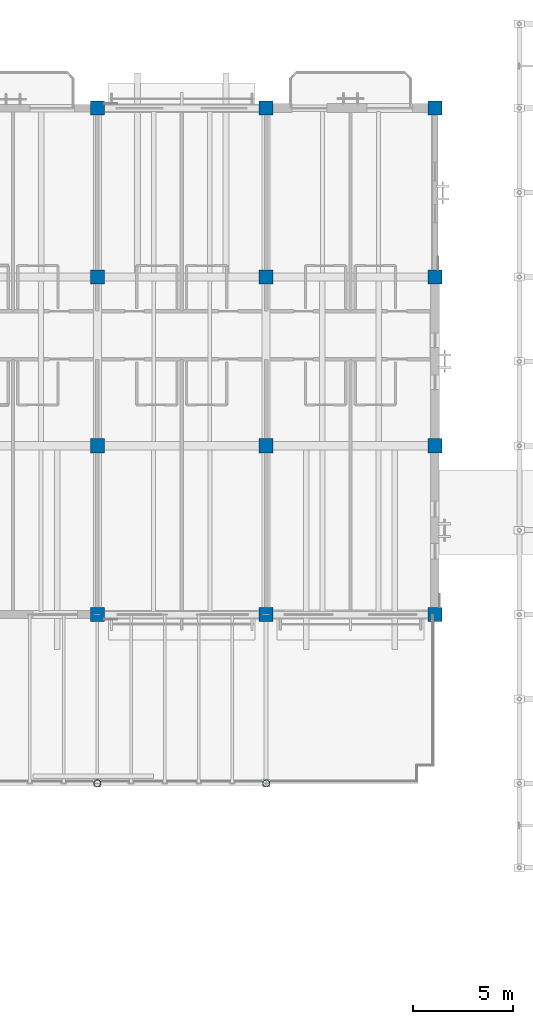
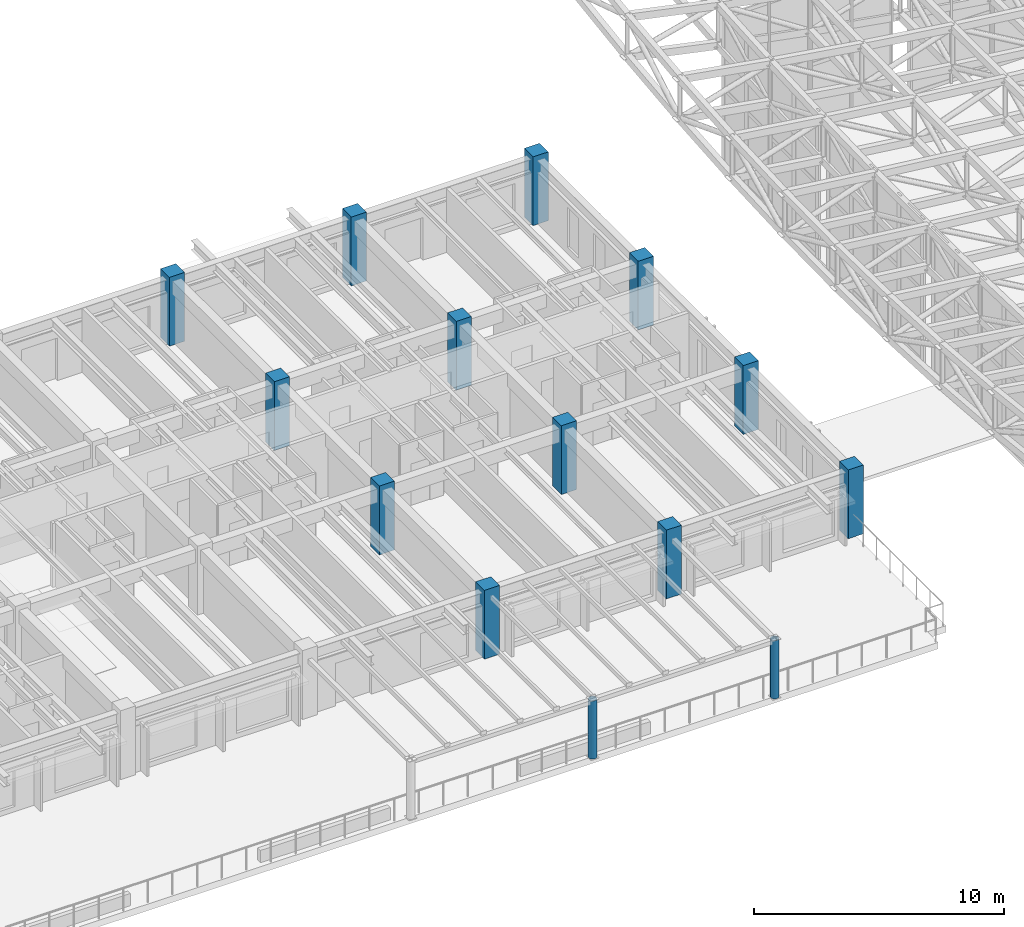
# One storey, part 5 of 111: 14 columns.
"""IFC4 building model written with IfcOpenShell, lengths in metres."""

from ifc_helpers import new_model, si_unit, direction, frame, origin, origin_2d, place, context, subcontext, project, spatial, rectangle, hollow_circle, extrude, material, material_profile, profile_set, type_object, element, save


model = new_model("IFC4")

# Units and contexts
model_context = context("Model", 3, precision=1e-05, world=origin(), true_north=direction((0.0, 1.0)))
body_context = subcontext(model_context, "Body", "Model", "MODEL_VIEW")
ifc_project = project(units=[si_unit("LENGTHUNIT", "METRE"), si_unit("AREAUNIT", "SQUARE_METRE"), si_unit("VOLUMEUNIT", "CUBIC_METRE"), si_unit("PLANEANGLEUNIT", "RADIAN"), si_unit("MASSUNIT", "GRAM", prefix="KILO")], contexts=[model_context])

# Site, building, storey
site_placement = place(None, origin())
site = spatial("IfcSite", under=ifc_project, at=site_placement, CompositionType="ELEMENT")
building_placement = place(site_placement, origin())
building = spatial("IfcBuilding", under=site, at=building_placement, Name="Cumbredor Promenade Congress Hotel", CompositionType="ELEMENT")
storey_placement = place(building_placement, frame((0.0, 0.0, 15.1201171875)))
storey = spatial("IfcBuildingStorey", under=building, at=storey_placement, Name="L04", CompositionType="ELEMENT", Elevation=15.1201171875)

# Columns
ifc_material_1 = material(Name="Concrete C40/50", Category="concrete")
ifc_material_profile_1 = material_profile(ifc_material_1, rectangle(XDim=0.699951171875, YDim=0.699951171875, at=origin_2d()), Name="RC 700x700")
ifc_profile_set_1 = profile_set([ifc_material_profile_1], Name="Concrete C40/50")
column_type_1 = type_object("IfcColumnType", Name="COL-RC-700", PredefinedType="COLUMN", material=ifc_profile_set_1)
for number, where, z_axis, x_axis, name in (
    (1, (67.199951171875, 92.39990234375, 0.0), (0.0, 0.0, 1.0), (1.0, 0.0, 0.0), "L04 Structural Column 081"),
    (2, (67.199951171875, 100.800048828125, 0.0), (0.0, 0.0, 1.0), (1.0, 0.0, 0.0), "L04 Structural Column 082"),
    (3, (67.199951171875, 109.199951171875, 0.0), (0.0, 0.0, 1.0), (1.0, 0.0, 0.0), "L04 Structural Column 083"),
    (4, (67.199951171875, 117.60009765625, 0.0), (0.0, 0.0, 1.0), (1.0, 0.0, 0.0), "L04 Structural Column 084"),
    (5, (75.60009765625, 92.39990234375, 0.0), (0.0, 0.0, 1.0), (1.0, 0.0, 0.0), "L04 Structural Column 085"),
    (6, (75.60009765625, 100.800048828125, 0.0), (0.0, 0.0, 1.0), (1.0, 0.0, 0.0), "L04 Structural Column 086"),
    (7, (75.60009765625, 109.199951171875, 0.0), (0.0, 0.0, 1.0), (1.0, 0.0, 0.0), "L04 Structural Column 087"),
    (8, (75.60009765625, 117.60009765625, 0.0), (0.0, 0.0, 1.0), (1.0, 0.0, 0.0), "L04 Structural Column 088"),
    (9, (84.0, 92.39990234375, 0.0), (0.0, 0.0, 1.0), (1.0, 0.0, 0.0), "L04 Structural Column 089"),
    (10, (84.0, 100.800048828125, 0.0), (0.0, 0.0, 1.0), (1.0, 0.0, 0.0), "L04 Structural Column 090"),
    (11, (84.0, 109.199951171875, 0.0), (0.0, 0.0, 1.0), (1.0, 0.0, 0.0), "L04 Structural Column 091"),
    (12, (84.0, 117.60009765625, 0.0), (0.0, 0.0, 1.0), (1.0, 0.0, 0.0), "L04 Structural Column 092"),
):
    element("IfcColumn", number, at=place(storey_placement, frame(where, z_axis=z_axis, x_axis=x_axis)), inside=storey, type_object=column_type_1, Name=name, PredefinedType="COLUMN", context=body_context, shape_type="SweptSolid", body=[
        extrude(rectangle(XDim=0.699951171875, YDim=0.699951171875, at=origin_2d()), origin(), (0.0, 0.0, 1.0), 3.35986328125),
    ])
ifc_material_2 = material(Name="Steel ASTM A500 Grade C", Category="steel")
ifc_material_profile_2 = material_profile(ifc_material_2, hollow_circle(Radius=0.177734375, WallThickness=0.01611328125, at=origin_2d()), Name="CHS 355.6x16")
ifc_profile_set_2 = profile_set([ifc_material_profile_2], Name="Steel ASTM A500 Grade C")
column_type_2 = type_object("IfcColumnType", Name="COL-STL-CHS355", PredefinedType="COLUMN", material=ifc_profile_set_2)
for number, where, z_axis, x_axis, name in (
    (13, (67.199951171875, 84.0, 0.0048828125), (0.0, 0.0, 1.0), (1.0, 0.0, 0.0), "L04 Sky-Garden Pergola Post 2.3"),
    (14, (75.60009765625, 84.0, 0.0048828125), (0.0, 0.0, 1.0), (1.0, 0.0, 0.0), "L04 Sky-Garden Pergola Post 2.5"),
):
    element("IfcColumn", number, at=place(storey_placement, frame(where, z_axis=z_axis, x_axis=x_axis)), inside=storey, type_object=column_type_2, Name=name, PredefinedType="COLUMN", context=body_context, shape_type="SweptSolid", body=[
        extrude(hollow_circle(Radius=0.177734375, WallThickness=0.01611328125, at=origin_2d()), origin(), (0.0, 0.0, 1.0), 2.844970703125),
    ])

save(model, "model.ifc")
